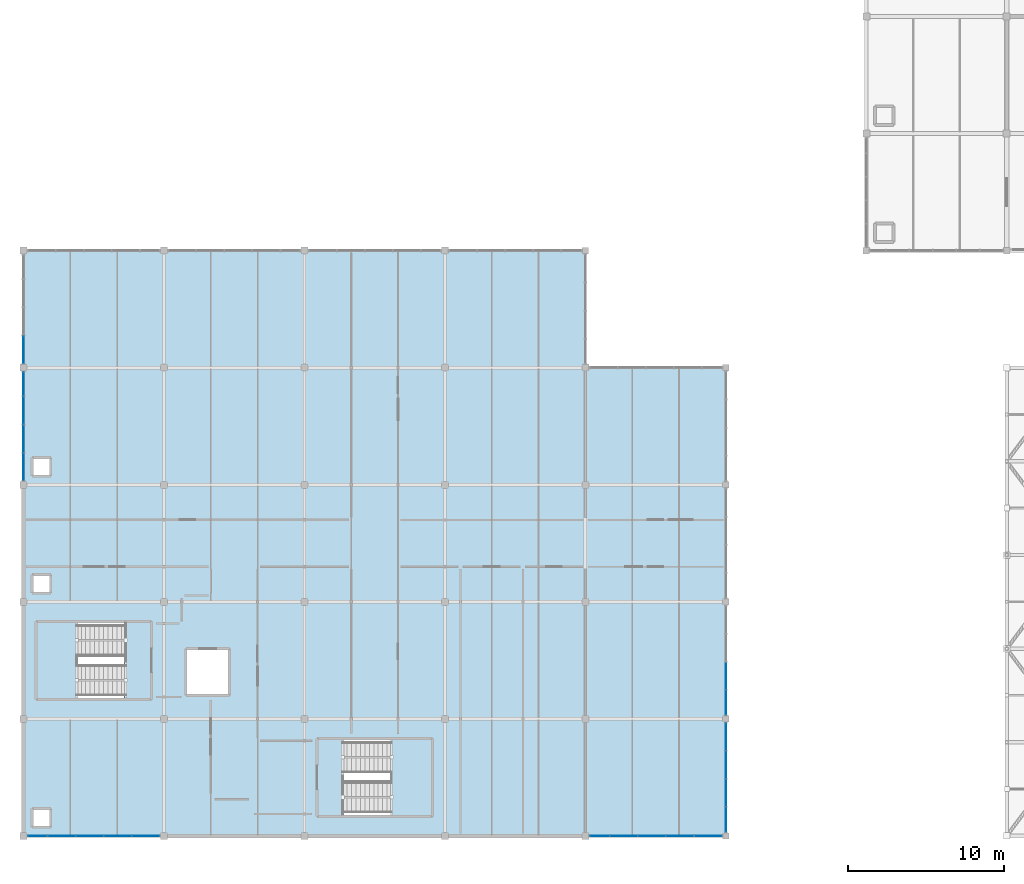
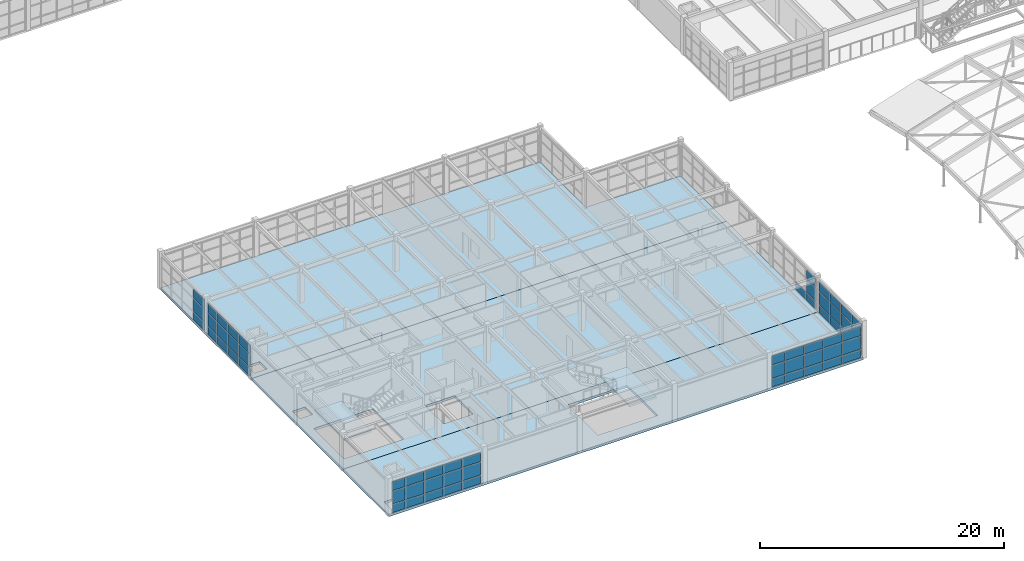
# One storey, part 50 of 81: 61 plates, 5 slabs, 8 elements without a shape of their own.
"""IFC4 building model written with IfcOpenShell, lengths in metres."""

from ifc_helpers import new_model, si_unit, direction, frame, origin, origin_2d, place, context, subcontext, project, spatial, polyline, rectangle, outline, extrude, material, layer, layer_set, type_object, element, aggregate, save


model = new_model("IFC4")

# Units and contexts
model_context = context("Model", 3, precision=1e-05, world=origin(), true_north=direction((0.0, 1.0)))
body_context = subcontext(model_context, "Body", "Model", "MODEL_VIEW")
ifc_project = project(units=[si_unit("LENGTHUNIT", "METRE"), si_unit("AREAUNIT", "SQUARE_METRE"), si_unit("VOLUMEUNIT", "CUBIC_METRE"), si_unit("PLANEANGLEUNIT", "RADIAN"), si_unit("MASSUNIT", "GRAM", prefix="KILO")], contexts=[model_context])

# Site, building, storey
site_placement = place(None, origin())
site = spatial("IfcSite", under=ifc_project, at=site_placement, CompositionType="ELEMENT")
building_placement = place(site_placement, origin())
building = spatial("IfcBuilding", under=site, at=building_placement, Name="Marnridge Secondary College", CompositionType="ELEMENT")
storey_placement = place(building_placement, frame((0.0, 0.0, 8.5)))
storey = spatial("IfcBuildingStorey", under=building, at=storey_placement, Name="L02", CompositionType="ELEMENT", Elevation=8.5)

# Curtain wall, plates
ifc_material_1 = material(Name="Bronze-anodised aluminium and solar-control glazing", Category="aluminium")
ifc_layer_1 = layer(ifc_material_1, 0.199951171875)
ifc_layer_set_1 = layer_set([ifc_layer_1], Name="CW-MOD-1800")
curtain_wall_type = type_object("IfcCurtainWallType", Name="CW-MOD-1800", PredefinedType="NOTDEFINED", material=ifc_layer_set_1)
curtain_wall_1_placement = place(storey_placement, origin())
curtain_wall_1 = element("IfcCurtainWall", 1, at=curtain_wall_1_placement, inside=storey, type_object=curtain_wall_type, Name="Unitised curtain wall CW-L02-108", PredefinedType="NOTDEFINED")
ifc_material_2 = material(Name="Acoustic laminated solar-control double glazing", Category="glass")
ifc_layer_2 = layer(ifc_material_2, 0.035888671875)
ifc_layer_set_2 = layer_set([ifc_layer_2], Name="CWP-GLZ36")
plate_type = type_object("IfcPlateType", Name="CWP-GLZ36", PredefinedType="CURTAIN_PANEL", material=ifc_layer_set_2)
plate_1_placement = place(storey_placement, frame((45.0, 10.260986328125, 0.06494140625), z_axis=(0.0, 0.0, 1.0), x_axis=(0.0, -1.0, 0.0)))
plate_1 = element("IfcPlate", 2, at=plate_1_placement, type_object=plate_type, Name="CW-L02-108 panel 3.1", PredefinedType="CURTAIN_PANEL", context=body_context, shape_type="SweptSolid", body=[
    extrude(rectangle(XDim=1.72998046875, YDim=0.035888671875, at=origin_2d()), origin(), (0.0, 0.0, 1.0), 0.802490234375),
])
plate_2_placement = place(storey_placement, frame((45.0, 8.550048828125, 0.06494140625), z_axis=(0.0, 0.0, 1.0), x_axis=(0.0, -1.0, 0.0)))
plate_2 = element("IfcPlate", 3, at=plate_2_placement, type_object=plate_type, Name="CW-L02-108 panel 4.1", PredefinedType="CURTAIN_PANEL", context=body_context, shape_type="SweptSolid", body=[
    extrude(rectangle(XDim=1.552001953125, YDim=0.035888671875, at=origin_2d()), origin(), (0.0, 0.0, 1.0), 0.802490234375),
])
plate_3_placement = place(storey_placement, frame((45.0, 8.550048828125, 0.9326171875), z_axis=(0.0, 0.0, 1.0), x_axis=(0.0, -1.0, 0.0)))
plate_3 = element("IfcPlate", 4, at=plate_3_placement, type_object=plate_type, Name="CW-L02-108 panel 4.2", PredefinedType="CURTAIN_PANEL", context=body_context, shape_type="SweptSolid", body=[
    extrude(rectangle(XDim=1.552001953125, YDim=0.035888671875, at=origin_2d()), origin(), (0.0, 0.0, 1.0), 1.284912109375),
])
plate_4_placement = place(storey_placement, frame((45.0, 8.550048828125, 2.2822265625), z_axis=(0.0, 0.0, 1.0), x_axis=(0.0, -1.0, 0.0)))
plate_4 = element("IfcPlate", 5, at=plate_4_placement, type_object=plate_type, Name="CW-L02-108 panel 4.3", PredefinedType="CURTAIN_PANEL", context=body_context, shape_type="SweptSolid", body=[
    extrude(rectangle(XDim=1.552001953125, YDim=0.035888671875, at=origin_2d()), origin(), (0.0, 0.0, 1.0), 0.882568359375),
])
aggregate(curtain_wall_1, [plate_1, plate_2, plate_3, plate_4])

curtain_wall_2_placement = place(storey_placement, origin())
curtain_wall_2 = element("IfcCurtainWall", 6, at=curtain_wall_2_placement, inside=storey, type_object=curtain_wall_type, Name="Unitised curtain wall CW-L02-109", PredefinedType="NOTDEFINED")
plate_5_placement = place(storey_placement, frame((45.0, 6.361083984375, 0.06494140625), z_axis=(0.0, 0.0, 1.0), x_axis=(0.0, -1.0, 0.0)))
plate_5 = element("IfcPlate", 7, at=plate_5_placement, type_object=plate_type, Name="CW-L02-109 panel 1.1", PredefinedType="CURTAIN_PANEL", context=body_context, shape_type="SweptSolid", body=[
    extrude(rectangle(XDim=1.72998046875, YDim=0.035888671875, at=origin_2d()), origin(), (0.0, 0.0, 1.0), 0.802490234375),
])
plate_6_placement = place(storey_placement, frame((45.0, 6.361083984375, 0.9326171875), z_axis=(0.0, 0.0, 1.0), x_axis=(0.0, -1.0, 0.0)))
plate_6 = element("IfcPlate", 8, at=plate_6_placement, type_object=plate_type, Name="CW-L02-109 panel 1.2", PredefinedType="CURTAIN_PANEL", context=body_context, shape_type="SweptSolid", body=[
    extrude(rectangle(XDim=1.72998046875, YDim=0.035888671875, at=origin_2d()), origin(), (0.0, 0.0, 1.0), 1.284912109375),
])
plate_7_placement = place(storey_placement, frame((45.0, 6.361083984375, 2.2822265625), z_axis=(0.0, 0.0, 1.0), x_axis=(0.0, -1.0, 0.0)))
plate_7 = element("IfcPlate", 9, at=plate_7_placement, type_object=plate_type, Name="CW-L02-109 panel 1.3", PredefinedType="CURTAIN_PANEL", context=body_context, shape_type="SweptSolid", body=[
    extrude(rectangle(XDim=1.72998046875, YDim=0.035888671875, at=origin_2d()), origin(), (0.0, 0.0, 1.0), 0.882568359375),
])
plate_8_placement = place(storey_placement, frame((45.0, 4.56103515625, 0.06494140625), z_axis=(0.0, 0.0, 1.0), x_axis=(0.0, -1.0, 0.0)))
plate_8 = element("IfcPlate", 10, at=plate_8_placement, type_object=plate_type, Name="CW-L02-109 panel 2.1", PredefinedType="CURTAIN_PANEL", context=body_context, shape_type="SweptSolid", body=[
    extrude(rectangle(XDim=1.72998046875, YDim=0.035888671875, at=origin_2d()), origin(), (0.0, 0.0, 1.0), 0.802490234375),
])
plate_9_placement = place(storey_placement, frame((45.0, 4.56103515625, 0.9326171875), z_axis=(0.0, 0.0, 1.0), x_axis=(0.0, -1.0, 0.0)))
plate_9 = element("IfcPlate", 11, at=plate_9_placement, type_object=plate_type, Name="CW-L02-109 panel 2.2", PredefinedType="CURTAIN_PANEL", context=body_context, shape_type="SweptSolid", body=[
    extrude(rectangle(XDim=1.72998046875, YDim=0.035888671875, at=origin_2d()), origin(), (0.0, 0.0, 1.0), 1.284912109375),
])
plate_10_placement = place(storey_placement, frame((45.0, 4.56103515625, 2.2822265625), z_axis=(0.0, 0.0, 1.0), x_axis=(0.0, -1.0, 0.0)))
plate_10 = element("IfcPlate", 12, at=plate_10_placement, type_object=plate_type, Name="CW-L02-109 panel 2.3", PredefinedType="CURTAIN_PANEL", context=body_context, shape_type="SweptSolid", body=[
    extrude(rectangle(XDim=1.72998046875, YDim=0.035888671875, at=origin_2d()), origin(), (0.0, 0.0, 1.0), 0.882568359375),
])
plate_11_placement = place(storey_placement, frame((45.0, 2.760986328125, 0.06494140625), z_axis=(0.0, 0.0, 1.0), x_axis=(0.0, -1.0, 0.0)))
plate_11 = element("IfcPlate", 13, at=plate_11_placement, type_object=plate_type, Name="CW-L02-109 panel 3.1", PredefinedType="CURTAIN_PANEL", context=body_context, shape_type="SweptSolid", body=[
    extrude(rectangle(XDim=1.72998046875, YDim=0.035888671875, at=origin_2d()), origin(), (0.0, 0.0, 1.0), 0.802490234375),
])
plate_12_placement = place(storey_placement, frame((45.0, 2.760986328125, 0.9326171875), z_axis=(0.0, 0.0, 1.0), x_axis=(0.0, -1.0, 0.0)))
plate_12 = element("IfcPlate", 14, at=plate_12_placement, type_object=plate_type, Name="CW-L02-109 panel 3.2", PredefinedType="CURTAIN_PANEL", context=body_context, shape_type="SweptSolid", body=[
    extrude(rectangle(XDim=1.72998046875, YDim=0.035888671875, at=origin_2d()), origin(), (0.0, 0.0, 1.0), 1.284912109375),
])
plate_13_placement = place(storey_placement, frame((45.0, 2.760986328125, 2.2822265625), z_axis=(0.0, 0.0, 1.0), x_axis=(0.0, -1.0, 0.0)))
plate_13 = element("IfcPlate", 15, at=plate_13_placement, type_object=plate_type, Name="CW-L02-109 panel 3.3", PredefinedType="CURTAIN_PANEL", context=body_context, shape_type="SweptSolid", body=[
    extrude(rectangle(XDim=1.72998046875, YDim=0.035888671875, at=origin_2d()), origin(), (0.0, 0.0, 1.0), 0.882568359375),
])
plate_14_placement = place(storey_placement, frame((45.0, 1.050048828125, 0.06494140625), z_axis=(0.0, 0.0, 1.0), x_axis=(0.0, -1.0, 0.0)))
plate_14 = element("IfcPlate", 16, at=plate_14_placement, type_object=plate_type, Name="CW-L02-109 panel 4.1", PredefinedType="CURTAIN_PANEL", context=body_context, shape_type="SweptSolid", body=[
    extrude(rectangle(XDim=1.552001953125, YDim=0.035888671875, at=origin_2d()), origin(), (0.0, 0.0, 1.0), 0.802490234375),
])
plate_15_placement = place(storey_placement, frame((45.0, 1.050048828125, 0.9326171875), z_axis=(0.0, 0.0, 1.0), x_axis=(0.0, -1.0, 0.0)))
plate_15 = element("IfcPlate", 17, at=plate_15_placement, type_object=plate_type, Name="CW-L02-109 panel 4.2", PredefinedType="CURTAIN_PANEL", context=body_context, shape_type="SweptSolid", body=[
    extrude(rectangle(XDim=1.552001953125, YDim=0.035888671875, at=origin_2d()), origin(), (0.0, 0.0, 1.0), 1.284912109375),
])
plate_16_placement = place(storey_placement, frame((45.0, 1.050048828125, 2.2822265625), z_axis=(0.0, 0.0, 1.0), x_axis=(0.0, -1.0, 0.0)))
plate_16 = element("IfcPlate", 18, at=plate_16_placement, type_object=plate_type, Name="CW-L02-109 panel 4.3", PredefinedType="CURTAIN_PANEL", context=body_context, shape_type="SweptSolid", body=[
    extrude(rectangle(XDim=1.552001953125, YDim=0.035888671875, at=origin_2d()), origin(), (0.0, 0.0, 1.0), 0.882568359375),
])
aggregate(curtain_wall_2, [plate_5, plate_6, plate_7, plate_8, plate_9, plate_10, plate_11, plate_12, plate_13, plate_14, plate_15, plate_16])

curtain_wall_3_placement = place(storey_placement, origin())
curtain_wall_3 = element("IfcCurtainWall", 19, at=curtain_wall_3_placement, inside=storey, type_object=curtain_wall_type, Name="Unitised curtain wall CW-L02-110", PredefinedType="NOTDEFINED")
plate_17_placement = place(storey_placement, frame((43.861083984375, 0.0, 0.06494140625), z_axis=(0.0, 0.0, 1.0), x_axis=(-1.0, 0.0, 0.0)))
plate_17 = element("IfcPlate", 20, at=plate_17_placement, type_object=plate_type, Name="CW-L02-110 panel 1.1", PredefinedType="CURTAIN_PANEL", context=body_context, shape_type="SweptSolid", body=[
    extrude(rectangle(XDim=1.72998046875, YDim=0.035888671875, at=origin_2d()), origin(), (0.0, 0.0, 1.0), 0.802490234375),
])
plate_18_placement = place(storey_placement, frame((43.861083984375, 0.0, 0.9326171875), z_axis=(0.0, 0.0, 1.0), x_axis=(-1.0, 0.0, 0.0)))
plate_18 = element("IfcPlate", 21, at=plate_18_placement, type_object=plate_type, Name="CW-L02-110 panel 1.2", PredefinedType="CURTAIN_PANEL", context=body_context, shape_type="SweptSolid", body=[
    extrude(rectangle(XDim=1.72998046875, YDim=0.035888671875, at=origin_2d()), origin(), (0.0, 0.0, 1.0), 1.284912109375),
])
plate_19_placement = place(storey_placement, frame((43.861083984375, 0.0, 2.2822265625), z_axis=(0.0, 0.0, 1.0), x_axis=(-1.0, 0.0, 0.0)))
plate_19 = element("IfcPlate", 22, at=plate_19_placement, type_object=plate_type, Name="CW-L02-110 panel 1.3", PredefinedType="CURTAIN_PANEL", context=body_context, shape_type="SweptSolid", body=[
    extrude(rectangle(XDim=1.72998046875, YDim=0.035888671875, at=origin_2d()), origin(), (0.0, 0.0, 1.0), 0.882568359375),
])
plate_20_placement = place(storey_placement, frame((42.06103515625, 0.0, 0.06494140625), z_axis=(0.0, 0.0, 1.0), x_axis=(-1.0, 0.0, 0.0)))
plate_20 = element("IfcPlate", 23, at=plate_20_placement, type_object=plate_type, Name="CW-L02-110 panel 2.1", PredefinedType="CURTAIN_PANEL", context=body_context, shape_type="SweptSolid", body=[
    extrude(rectangle(XDim=1.72998046875, YDim=0.035888671875, at=origin_2d()), origin(), (0.0, 0.0, 1.0), 0.802490234375),
])
plate_21_placement = place(storey_placement, frame((42.06103515625, 0.0, 0.9326171875), z_axis=(0.0, 0.0, 1.0), x_axis=(-1.0, 0.0, 0.0)))
plate_21 = element("IfcPlate", 24, at=plate_21_placement, type_object=plate_type, Name="CW-L02-110 panel 2.2", PredefinedType="CURTAIN_PANEL", context=body_context, shape_type="SweptSolid", body=[
    extrude(rectangle(XDim=1.72998046875, YDim=0.035888671875, at=origin_2d()), origin(), (0.0, 0.0, 1.0), 1.284912109375),
])
plate_22_placement = place(storey_placement, frame((42.06103515625, 0.0, 2.2822265625), z_axis=(0.0, 0.0, 1.0), x_axis=(-1.0, 0.0, 0.0)))
plate_22 = element("IfcPlate", 25, at=plate_22_placement, type_object=plate_type, Name="CW-L02-110 panel 2.3", PredefinedType="CURTAIN_PANEL", context=body_context, shape_type="SweptSolid", body=[
    extrude(rectangle(XDim=1.72998046875, YDim=0.035888671875, at=origin_2d()), origin(), (0.0, 0.0, 1.0), 0.882568359375),
])
plate_23_placement = place(storey_placement, frame((40.260986328125, 0.0, 0.06494140625), z_axis=(0.0, 0.0, 1.0), x_axis=(-1.0, 0.0, 0.0)))
plate_23 = element("IfcPlate", 26, at=plate_23_placement, type_object=plate_type, Name="CW-L02-110 panel 3.1", PredefinedType="CURTAIN_PANEL", context=body_context, shape_type="SweptSolid", body=[
    extrude(rectangle(XDim=1.72998046875, YDim=0.035888671875, at=origin_2d()), origin(), (0.0, 0.0, 1.0), 0.802490234375),
])
plate_24_placement = place(storey_placement, frame((40.260986328125, 0.0, 0.9326171875), z_axis=(0.0, 0.0, 1.0), x_axis=(-1.0, 0.0, 0.0)))
plate_24 = element("IfcPlate", 27, at=plate_24_placement, type_object=plate_type, Name="CW-L02-110 panel 3.2", PredefinedType="CURTAIN_PANEL", context=body_context, shape_type="SweptSolid", body=[
    extrude(rectangle(XDim=1.72998046875, YDim=0.035888671875, at=origin_2d()), origin(), (0.0, 0.0, 1.0), 1.284912109375),
])
plate_25_placement = place(storey_placement, frame((40.260986328125, 0.0, 2.2822265625), z_axis=(0.0, 0.0, 1.0), x_axis=(-1.0, 0.0, 0.0)))
plate_25 = element("IfcPlate", 28, at=plate_25_placement, type_object=plate_type, Name="CW-L02-110 panel 3.3", PredefinedType="CURTAIN_PANEL", context=body_context, shape_type="SweptSolid", body=[
    extrude(rectangle(XDim=1.72998046875, YDim=0.035888671875, at=origin_2d()), origin(), (0.0, 0.0, 1.0), 0.882568359375),
])
plate_26_placement = place(storey_placement, frame((38.4609375, 0.0, 0.06494140625), z_axis=(0.0, 0.0, 1.0), x_axis=(-1.0, 0.0, 0.0)))
plate_26 = element("IfcPlate", 29, at=plate_26_placement, type_object=plate_type, Name="CW-L02-110 panel 4.1", PredefinedType="CURTAIN_PANEL", context=body_context, shape_type="SweptSolid", body=[
    extrude(rectangle(XDim=1.72998046875, YDim=0.035888671875, at=origin_2d()), origin(), (0.0, 0.0, 1.0), 0.802490234375),
])
plate_27_placement = place(storey_placement, frame((38.4609375, 0.0, 0.9326171875), z_axis=(0.0, 0.0, 1.0), x_axis=(-1.0, 0.0, 0.0)))
plate_27 = element("IfcPlate", 30, at=plate_27_placement, type_object=plate_type, Name="CW-L02-110 panel 4.2", PredefinedType="CURTAIN_PANEL", context=body_context, shape_type="SweptSolid", body=[
    extrude(rectangle(XDim=1.72998046875, YDim=0.035888671875, at=origin_2d()), origin(), (0.0, 0.0, 1.0), 1.284912109375),
])
plate_28_placement = place(storey_placement, frame((38.4609375, 0.0, 2.2822265625), z_axis=(0.0, 0.0, 1.0), x_axis=(-1.0, 0.0, 0.0)))
plate_28 = element("IfcPlate", 31, at=plate_28_placement, type_object=plate_type, Name="CW-L02-110 panel 4.3", PredefinedType="CURTAIN_PANEL", context=body_context, shape_type="SweptSolid", body=[
    extrude(rectangle(XDim=1.72998046875, YDim=0.035888671875, at=origin_2d()), origin(), (0.0, 0.0, 1.0), 0.882568359375),
])
plate_29_placement = place(storey_placement, frame((36.91259765625, 0.0, 0.06494140625), z_axis=(0.0, 0.0, 1.0), x_axis=(-1.0, 0.0, 0.0)))
plate_29 = element("IfcPlate", 32, at=plate_29_placement, type_object=plate_type, Name="CW-L02-110 panel 5.1", PredefinedType="CURTAIN_PANEL", context=body_context, shape_type="SweptSolid", body=[
    extrude(rectangle(XDim=1.22705078125, YDim=0.035888671875, at=origin_2d()), origin(), (0.0, 0.0, 1.0), 0.802490234375),
])
plate_30_placement = place(storey_placement, frame((36.91259765625, 0.0, 0.9326171875), z_axis=(0.0, 0.0, 1.0), x_axis=(-1.0, 0.0, 0.0)))
plate_30 = element("IfcPlate", 33, at=plate_30_placement, type_object=plate_type, Name="CW-L02-110 panel 5.2", PredefinedType="CURTAIN_PANEL", context=body_context, shape_type="SweptSolid", body=[
    extrude(rectangle(XDim=1.22705078125, YDim=0.035888671875, at=origin_2d()), origin(), (0.0, 0.0, 1.0), 1.284912109375),
])
plate_31_placement = place(storey_placement, frame((36.91259765625, 0.0, 2.2822265625), z_axis=(0.0, 0.0, 1.0), x_axis=(-1.0, 0.0, 0.0)))
plate_31 = element("IfcPlate", 34, at=plate_31_placement, type_object=plate_type, Name="CW-L02-110 panel 5.3", PredefinedType="CURTAIN_PANEL", context=body_context, shape_type="SweptSolid", body=[
    extrude(rectangle(XDim=1.22705078125, YDim=0.035888671875, at=origin_2d()), origin(), (0.0, 0.0, 1.0), 0.882568359375),
])
aggregate(curtain_wall_3, [plate_17, plate_18, plate_19, plate_20, plate_21, plate_22, plate_23, plate_24, plate_25, plate_26, plate_27, plate_28, plate_29, plate_30, plate_31])

curtain_wall_4_placement = place(storey_placement, origin())
curtain_wall_4 = element("IfcCurtainWall", 35, at=curtain_wall_4_placement, inside=storey, type_object=curtain_wall_type, Name="Unitised curtain wall CW-L02-111", PredefinedType="NOTDEFINED")
plate_32_placement = place(storey_placement, frame((7.8359375, 0.0, 0.06494140625), z_axis=(0.0, 0.0, 1.0), x_axis=(-1.0, 0.0, 0.0)))
plate_32 = element("IfcPlate", 36, at=plate_32_placement, type_object=plate_type, Name="CW-L02-111 panel 1.1", PredefinedType="CURTAIN_PANEL", context=body_context, shape_type="SweptSolid", body=[
    extrude(rectangle(XDim=1.72998046875, YDim=0.035888671875, at=origin_2d()), origin(), (0.0, 0.0, 1.0), 0.802490234375),
])
plate_33_placement = place(storey_placement, frame((7.8359375, 0.0, 0.9326171875), z_axis=(0.0, 0.0, 1.0), x_axis=(-1.0, 0.0, 0.0)))
plate_33 = element("IfcPlate", 37, at=plate_33_placement, type_object=plate_type, Name="CW-L02-111 panel 1.2", PredefinedType="CURTAIN_PANEL", context=body_context, shape_type="SweptSolid", body=[
    extrude(rectangle(XDim=1.72998046875, YDim=0.035888671875, at=origin_2d()), origin(), (0.0, 0.0, 1.0), 1.284912109375),
])
plate_34_placement = place(storey_placement, frame((7.8359375, 0.0, 2.2822265625), z_axis=(0.0, 0.0, 1.0), x_axis=(-1.0, 0.0, 0.0)))
plate_34 = element("IfcPlate", 38, at=plate_34_placement, type_object=plate_type, Name="CW-L02-111 panel 1.3", PredefinedType="CURTAIN_PANEL", context=body_context, shape_type="SweptSolid", body=[
    extrude(rectangle(XDim=1.72998046875, YDim=0.035888671875, at=origin_2d()), origin(), (0.0, 0.0, 1.0), 0.882568359375),
])
plate_35_placement = place(storey_placement, frame((6.035888671875, 0.0, 0.06494140625), z_axis=(0.0, 0.0, 1.0), x_axis=(-1.0, 0.0, 0.0)))
plate_35 = element("IfcPlate", 39, at=plate_35_placement, type_object=plate_type, Name="CW-L02-111 panel 2.1", PredefinedType="CURTAIN_PANEL", context=body_context, shape_type="SweptSolid", body=[
    extrude(rectangle(XDim=1.72998046875, YDim=0.035888671875, at=origin_2d()), origin(), (0.0, 0.0, 1.0), 0.802490234375),
])
plate_36_placement = place(storey_placement, frame((6.035888671875, 0.0, 0.9326171875), z_axis=(0.0, 0.0, 1.0), x_axis=(-1.0, 0.0, 0.0)))
plate_36 = element("IfcPlate", 40, at=plate_36_placement, type_object=plate_type, Name="CW-L02-111 panel 2.2", PredefinedType="CURTAIN_PANEL", context=body_context, shape_type="SweptSolid", body=[
    extrude(rectangle(XDim=1.72998046875, YDim=0.035888671875, at=origin_2d()), origin(), (0.0, 0.0, 1.0), 1.284912109375),
])
plate_37_placement = place(storey_placement, frame((6.035888671875, 0.0, 2.2822265625), z_axis=(0.0, 0.0, 1.0), x_axis=(-1.0, 0.0, 0.0)))
plate_37 = element("IfcPlate", 41, at=plate_37_placement, type_object=plate_type, Name="CW-L02-111 panel 2.3", PredefinedType="CURTAIN_PANEL", context=body_context, shape_type="SweptSolid", body=[
    extrude(rectangle(XDim=1.72998046875, YDim=0.035888671875, at=origin_2d()), origin(), (0.0, 0.0, 1.0), 0.882568359375),
])
plate_38_placement = place(storey_placement, frame((4.236083984375, 0.0, 0.06494140625), z_axis=(0.0, 0.0, 1.0), x_axis=(-1.0, 0.0, 0.0)))
plate_38 = element("IfcPlate", 42, at=plate_38_placement, type_object=plate_type, Name="CW-L02-111 panel 3.1", PredefinedType="CURTAIN_PANEL", context=body_context, shape_type="SweptSolid", body=[
    extrude(rectangle(XDim=1.72998046875, YDim=0.035888671875, at=origin_2d()), origin(), (0.0, 0.0, 1.0), 0.802490234375),
])
plate_39_placement = place(storey_placement, frame((4.236083984375, 0.0, 0.9326171875), z_axis=(0.0, 0.0, 1.0), x_axis=(-1.0, 0.0, 0.0)))
plate_39 = element("IfcPlate", 43, at=plate_39_placement, type_object=plate_type, Name="CW-L02-111 panel 3.2", PredefinedType="CURTAIN_PANEL", context=body_context, shape_type="SweptSolid", body=[
    extrude(rectangle(XDim=1.72998046875, YDim=0.035888671875, at=origin_2d()), origin(), (0.0, 0.0, 1.0), 1.284912109375),
])
plate_40_placement = place(storey_placement, frame((4.236083984375, 0.0, 2.2822265625), z_axis=(0.0, 0.0, 1.0), x_axis=(-1.0, 0.0, 0.0)))
plate_40 = element("IfcPlate", 44, at=plate_40_placement, type_object=plate_type, Name="CW-L02-111 panel 3.3", PredefinedType="CURTAIN_PANEL", context=body_context, shape_type="SweptSolid", body=[
    extrude(rectangle(XDim=1.72998046875, YDim=0.035888671875, at=origin_2d()), origin(), (0.0, 0.0, 1.0), 0.882568359375),
])
plate_41_placement = place(storey_placement, frame((2.43603515625, 0.0, 0.06494140625), z_axis=(0.0, 0.0, 1.0), x_axis=(-1.0, 0.0, 0.0)))
plate_41 = element("IfcPlate", 45, at=plate_41_placement, type_object=plate_type, Name="CW-L02-111 panel 4.1", PredefinedType="CURTAIN_PANEL", context=body_context, shape_type="SweptSolid", body=[
    extrude(rectangle(XDim=1.72998046875, YDim=0.035888671875, at=origin_2d()), origin(), (0.0, 0.0, 1.0), 0.802490234375),
])
plate_42_placement = place(storey_placement, frame((2.43603515625, 0.0, 0.9326171875), z_axis=(0.0, 0.0, 1.0), x_axis=(-1.0, 0.0, 0.0)))
plate_42 = element("IfcPlate", 46, at=plate_42_placement, type_object=plate_type, Name="CW-L02-111 panel 4.2", PredefinedType="CURTAIN_PANEL", context=body_context, shape_type="SweptSolid", body=[
    extrude(rectangle(XDim=1.72998046875, YDim=0.035888671875, at=origin_2d()), origin(), (0.0, 0.0, 1.0), 1.284912109375),
])
plate_43_placement = place(storey_placement, frame((2.43603515625, 0.0, 2.2822265625), z_axis=(0.0, 0.0, 1.0), x_axis=(-1.0, 0.0, 0.0)))
plate_43 = element("IfcPlate", 47, at=plate_43_placement, type_object=plate_type, Name="CW-L02-111 panel 4.3", PredefinedType="CURTAIN_PANEL", context=body_context, shape_type="SweptSolid", body=[
    extrude(rectangle(XDim=1.72998046875, YDim=0.035888671875, at=origin_2d()), origin(), (0.0, 0.0, 1.0), 0.882568359375),
])
plate_44_placement = place(storey_placement, frame((0.89990234375, 0.0, 0.06494140625), z_axis=(0.0, 0.0, 1.0), x_axis=(-1.0, 0.0, 0.0)))
plate_44 = element("IfcPlate", 48, at=plate_44_placement, type_object=plate_type, Name="CW-L02-111 panel 5.1", PredefinedType="CURTAIN_PANEL", context=body_context, shape_type="SweptSolid", body=[
    extrude(rectangle(XDim=1.201904296875, YDim=0.035888671875, at=origin_2d()), origin(), (0.0, 0.0, 1.0), 0.802490234375),
])
plate_45_placement = place(storey_placement, frame((0.89990234375, 0.0, 0.9326171875), z_axis=(0.0, 0.0, 1.0), x_axis=(-1.0, 0.0, 0.0)))
plate_45 = element("IfcPlate", 49, at=plate_45_placement, type_object=plate_type, Name="CW-L02-111 panel 5.2", PredefinedType="CURTAIN_PANEL", context=body_context, shape_type="SweptSolid", body=[
    extrude(rectangle(XDim=1.201904296875, YDim=0.035888671875, at=origin_2d()), origin(), (0.0, 0.0, 1.0), 1.284912109375),
])
plate_46_placement = place(storey_placement, frame((0.89990234375, 0.0, 2.2822265625), z_axis=(0.0, 0.0, 1.0), x_axis=(-1.0, 0.0, 0.0)))
plate_46 = element("IfcPlate", 50, at=plate_46_placement, type_object=plate_type, Name="CW-L02-111 panel 5.3", PredefinedType="CURTAIN_PANEL", context=body_context, shape_type="SweptSolid", body=[
    extrude(rectangle(XDim=1.201904296875, YDim=0.035888671875, at=origin_2d()), origin(), (0.0, 0.0, 1.0), 0.882568359375),
])
aggregate(curtain_wall_4, [plate_32, plate_33, plate_34, plate_35, plate_36, plate_37, plate_38, plate_39, plate_40, plate_41, plate_42, plate_43, plate_44, plate_45, plate_46])

curtain_wall_5_placement = place(storey_placement, origin())
curtain_wall_5 = element("IfcCurtainWall", 51, at=curtain_wall_5_placement, inside=storey, type_object=curtain_wall_type, Name="Unitised curtain wall CW-L02-112", PredefinedType="NOTDEFINED")
plate_47_placement = place(storey_placement, frame((0.0, 23.6640625, 0.06494140625), z_axis=(0.0, 0.0, 1.0), x_axis=(0.0, 1.0, 0.0)))
plate_47 = element("IfcPlate", 52, at=plate_47_placement, type_object=plate_type, Name="CW-L02-112 panel 1.1", PredefinedType="CURTAIN_PANEL", context=body_context, shape_type="SweptSolid", body=[
    extrude(rectangle(XDim=1.72998046875, YDim=0.035888671875, at=origin_2d()), origin(), (0.0, 0.0, 1.0), 0.802490234375),
])
plate_48_placement = place(storey_placement, frame((0.0, 23.6640625, 0.9326171875), z_axis=(0.0, 0.0, 1.0), x_axis=(0.0, 1.0, 0.0)))
plate_48 = element("IfcPlate", 53, at=plate_48_placement, type_object=plate_type, Name="CW-L02-112 panel 1.2", PredefinedType="CURTAIN_PANEL", context=body_context, shape_type="SweptSolid", body=[
    extrude(rectangle(XDim=1.72998046875, YDim=0.035888671875, at=origin_2d()), origin(), (0.0, 0.0, 1.0), 1.284912109375),
])
plate_49_placement = place(storey_placement, frame((0.0, 23.6640625, 2.2822265625), z_axis=(0.0, 0.0, 1.0), x_axis=(0.0, 1.0, 0.0)))
plate_49 = element("IfcPlate", 54, at=plate_49_placement, type_object=plate_type, Name="CW-L02-112 panel 1.3", PredefinedType="CURTAIN_PANEL", context=body_context, shape_type="SweptSolid", body=[
    extrude(rectangle(XDim=1.72998046875, YDim=0.035888671875, at=origin_2d()), origin(), (0.0, 0.0, 1.0), 0.882568359375),
])
plate_50_placement = place(storey_placement, frame((0.0, 25.464111328125, 0.06494140625), z_axis=(0.0, 0.0, 1.0), x_axis=(0.0, 1.0, 0.0)))
plate_50 = element("IfcPlate", 55, at=plate_50_placement, type_object=plate_type, Name="CW-L02-112 panel 2.1", PredefinedType="CURTAIN_PANEL", context=body_context, shape_type="SweptSolid", body=[
    extrude(rectangle(XDim=1.72998046875, YDim=0.035888671875, at=origin_2d()), origin(), (0.0, 0.0, 1.0), 0.802490234375),
])
plate_51_placement = place(storey_placement, frame((0.0, 25.464111328125, 0.9326171875), z_axis=(0.0, 0.0, 1.0), x_axis=(0.0, 1.0, 0.0)))
plate_51 = element("IfcPlate", 56, at=plate_51_placement, type_object=plate_type, Name="CW-L02-112 panel 2.2", PredefinedType="CURTAIN_PANEL", context=body_context, shape_type="SweptSolid", body=[
    extrude(rectangle(XDim=1.72998046875, YDim=0.035888671875, at=origin_2d()), origin(), (0.0, 0.0, 1.0), 1.284912109375),
])
plate_52_placement = place(storey_placement, frame((0.0, 25.464111328125, 2.2822265625), z_axis=(0.0, 0.0, 1.0), x_axis=(0.0, 1.0, 0.0)))
plate_52 = element("IfcPlate", 57, at=plate_52_placement, type_object=plate_type, Name="CW-L02-112 panel 2.3", PredefinedType="CURTAIN_PANEL", context=body_context, shape_type="SweptSolid", body=[
    extrude(rectangle(XDim=1.72998046875, YDim=0.035888671875, at=origin_2d()), origin(), (0.0, 0.0, 1.0), 0.882568359375),
])
plate_53_placement = place(storey_placement, frame((0.0, 27.263916015625, 0.06494140625), z_axis=(0.0, 0.0, 1.0), x_axis=(0.0, 1.0, 0.0)))
plate_53 = element("IfcPlate", 58, at=plate_53_placement, type_object=plate_type, Name="CW-L02-112 panel 3.1", PredefinedType="CURTAIN_PANEL", context=body_context, shape_type="SweptSolid", body=[
    extrude(rectangle(XDim=1.72998046875, YDim=0.035888671875, at=origin_2d()), origin(), (0.0, 0.0, 1.0), 0.802490234375),
])
plate_54_placement = place(storey_placement, frame((0.0, 27.263916015625, 0.9326171875), z_axis=(0.0, 0.0, 1.0), x_axis=(0.0, 1.0, 0.0)))
plate_54 = element("IfcPlate", 59, at=plate_54_placement, type_object=plate_type, Name="CW-L02-112 panel 3.2", PredefinedType="CURTAIN_PANEL", context=body_context, shape_type="SweptSolid", body=[
    extrude(rectangle(XDim=1.72998046875, YDim=0.035888671875, at=origin_2d()), origin(), (0.0, 0.0, 1.0), 1.284912109375),
])
plate_55_placement = place(storey_placement, frame((0.0, 27.263916015625, 2.2822265625), z_axis=(0.0, 0.0, 1.0), x_axis=(0.0, 1.0, 0.0)))
plate_55 = element("IfcPlate", 60, at=plate_55_placement, type_object=plate_type, Name="CW-L02-112 panel 3.3", PredefinedType="CURTAIN_PANEL", context=body_context, shape_type="SweptSolid", body=[
    extrude(rectangle(XDim=1.72998046875, YDim=0.035888671875, at=origin_2d()), origin(), (0.0, 0.0, 1.0), 0.882568359375),
])
plate_56_placement = place(storey_placement, frame((0.0, 28.949951171875, 0.06494140625), z_axis=(0.0, 0.0, 1.0), x_axis=(0.0, 1.0, 0.0)))
plate_56 = element("IfcPlate", 61, at=plate_56_placement, type_object=plate_type, Name="CW-L02-112 panel 4.1", PredefinedType="CURTAIN_PANEL", context=body_context, shape_type="SweptSolid", body=[
    extrude(rectangle(XDim=1.501953125, YDim=0.035888671875, at=origin_2d()), origin(), (0.0, 0.0, 1.0), 0.802490234375),
])
plate_57_placement = place(storey_placement, frame((0.0, 28.949951171875, 0.9326171875), z_axis=(0.0, 0.0, 1.0), x_axis=(0.0, 1.0, 0.0)))
plate_57 = element("IfcPlate", 62, at=plate_57_placement, type_object=plate_type, Name="CW-L02-112 panel 4.2", PredefinedType="CURTAIN_PANEL", context=body_context, shape_type="SweptSolid", body=[
    extrude(rectangle(XDim=1.501953125, YDim=0.035888671875, at=origin_2d()), origin(), (0.0, 0.0, 1.0), 1.284912109375),
])
plate_58_placement = place(storey_placement, frame((0.0, 28.949951171875, 2.2822265625), z_axis=(0.0, 0.0, 1.0), x_axis=(0.0, 1.0, 0.0)))
plate_58 = element("IfcPlate", 63, at=plate_58_placement, type_object=plate_type, Name="CW-L02-112 panel 4.3", PredefinedType="CURTAIN_PANEL", context=body_context, shape_type="SweptSolid", body=[
    extrude(rectangle(XDim=1.501953125, YDim=0.035888671875, at=origin_2d()), origin(), (0.0, 0.0, 1.0), 0.882568359375),
])
aggregate(curtain_wall_5, [plate_47, plate_48, plate_49, plate_50, plate_51, plate_52, plate_53, plate_54, plate_55, plate_56, plate_57, plate_58])

curtain_wall_6_placement = place(storey_placement, origin())
curtain_wall_6 = element("IfcCurtainWall", 64, at=curtain_wall_6_placement, inside=storey, type_object=curtain_wall_type, Name="Unitised curtain wall CW-L02-113", PredefinedType="NOTDEFINED")
plate_59_placement = place(storey_placement, frame((0.0, 31.1640625, 0.06494140625), z_axis=(0.0, 0.0, 1.0), x_axis=(0.0, 1.0, 0.0)))
plate_59 = element("IfcPlate", 65, at=plate_59_placement, type_object=plate_type, Name="CW-L02-113 panel 1.1", PredefinedType="CURTAIN_PANEL", context=body_context, shape_type="SweptSolid", body=[
    extrude(rectangle(XDim=1.72998046875, YDim=0.035888671875, at=origin_2d()), origin(), (0.0, 0.0, 1.0), 0.802490234375),
])
plate_60_placement = place(storey_placement, frame((0.0, 31.1640625, 0.9326171875), z_axis=(0.0, 0.0, 1.0), x_axis=(0.0, 1.0, 0.0)))
plate_60 = element("IfcPlate", 66, at=plate_60_placement, type_object=plate_type, Name="CW-L02-113 panel 1.2", PredefinedType="CURTAIN_PANEL", context=body_context, shape_type="SweptSolid", body=[
    extrude(rectangle(XDim=1.72998046875, YDim=0.035888671875, at=origin_2d()), origin(), (0.0, 0.0, 1.0), 1.284912109375),
])
plate_61_placement = place(storey_placement, frame((0.0, 31.1640625, 2.2822265625), z_axis=(0.0, 0.0, 1.0), x_axis=(0.0, 1.0, 0.0)))
plate_61 = element("IfcPlate", 67, at=plate_61_placement, type_object=plate_type, Name="CW-L02-113 panel 1.3", PredefinedType="CURTAIN_PANEL", context=body_context, shape_type="SweptSolid", body=[
    extrude(rectangle(XDim=1.72998046875, YDim=0.035888671875, at=origin_2d()), origin(), (0.0, 0.0, 1.0), 0.882568359375),
])
aggregate(curtain_wall_6, [plate_59, plate_60, plate_61])

# Slabs
ifc_material_3 = material(Name="Cross-laminated timber CL7", Category="wood")
ifc_layer_3 = layer(ifc_material_3, 0.22998046875)
ifc_layer_set_3 = layer_set([ifc_layer_3], Name="SL-CLT-230")
slab_type_1 = type_object("IfcSlabType", Name="SL-CLT-230", PredefinedType="FLOOR", material=ifc_layer_set_3)
slab_1_placement = place(storey_placement, frame((0.0, 0.0, -0.22998046875)))
element("IfcSlab", 68, at=slab_1_placement, inside=storey, type_object=slab_type_1, Name="Floor slab SL-L02-035", PredefinedType="FLOOR", context=body_context, shape_type="SweptSolid", body=[
    extrude(outline(polyline([(0.0, 7.5), (45.0, 7.5), (45.0, 0.0), (0.0, 0.0), (0.0, 7.5)]), holes=[polyline([(20.550048828125, 1.25), (26.199951171875, 1.25), (26.199951171875, 6.25), (20.550048828125, 6.25), (20.550048828125, 1.25)]), polyline([(0.550048828125, 0.550048828125), (1.75, 0.550048828125), (1.75, 1.75), (0.550048828125, 1.75), (0.550048828125, 0.550048828125)])]), origin(), (0.0, 0.0, 1.0), 0.22998046875),
])
slab_2_placement = place(storey_placement, frame((0.0, 0.0, -0.22998046875)))
element("IfcSlab", 69, at=slab_2_placement, inside=storey, type_object=slab_type_1, Name="Floor slab SL-L02-036", PredefinedType="FLOOR", context=body_context, shape_type="SweptSolid", body=[
    extrude(outline(polyline([(45.0, 7.5), (0.0, 7.5), (0.0, 22.5), (45.0, 22.5), (45.0, 7.5)]), holes=[polyline([(0.800048828125, 8.75), (6.449951171875, 8.75), (6.449951171875, 13.75), (0.800048828125, 13.75), (0.800048828125, 8.75)]), polyline([(10.39990234375, 9.0), (13.199951171875, 9.0), (13.199951171875, 12.0), (10.39990234375, 12.0), (10.39990234375, 9.0)]), polyline([(0.550048828125, 15.550048828125), (1.75, 15.550048828125), (1.75, 16.75), (0.550048828125, 16.75), (0.550048828125, 15.550048828125)])]), origin(), (0.0, 0.0, 1.0), 0.22998046875),
])
slab_3_placement = place(storey_placement, frame((0.0, 0.0, -0.22998046875)))
element("IfcSlab", 70, at=slab_3_placement, inside=storey, type_object=slab_type_1, Name="Floor slab SL-L02-037", PredefinedType="FLOOR", context=body_context, shape_type="SweptSolid", body=[
    extrude(outline(polyline([(0.0, 22.5), (0.0, 37.5), (36.0, 37.5), (36.0, 30.0), (45.0, 30.0), (45.0, 22.5), (0.0, 22.5)]), holes=[polyline([(0.550048828125, 23.050048828125), (1.75, 23.050048828125), (1.75, 24.25), (0.550048828125, 24.25), (0.550048828125, 23.050048828125)])]), origin(), (0.0, 0.0, 1.0), 0.22998046875),
])

# Stair, slab
ifc_material_4 = material(Name="Concrete C40/50 (AS 3600 N40, 40 MPa)", Category="concrete")
stair_type = type_object("IfcStairType", Name="STC1", PredefinedType="HALF_TURN_STAIR", material=ifc_material_4)
stair_1_placement = place(storey_placement, origin())
stair_1 = element("IfcStair", 71, at=stair_1_placement, inside=storey, type_object=stair_type, Name="Fire-isolated stair ST-03-L02", PredefinedType="HALF_TURN_STAIR")
ifc_material_5 = material(Name="Concrete C40/50 (AS 3600 N40, 40 MPa)", Category="concrete")
ifc_layer_4 = layer(ifc_material_5, 0.199951171875)
ifc_layer_set_4 = layer_set([ifc_layer_4], Name="SL-LAND-200")
slab_type_2 = type_object("IfcSlabType", Name="SL-LAND-200", PredefinedType="LANDING", material=ifc_layer_set_4)
slab_4_placement = place(storey_placement, frame((0.0, 0.0, 1.699951171875)))
slab_4 = element("IfcSlab", 72, at=slab_4_placement, type_object=slab_type_2, Name="ST-03-L02 landing 1", PredefinedType="LANDING", context=body_context, shape_type="SweptSolid", body=[
    extrude(outline(polyline([(0.860107421875, 8.81005859375), (3.4150390625, 8.81005859375), (3.4150390625, 13.68994140625), (0.860107421875, 13.68994140625), (0.860107421875, 8.81005859375)])), origin(), (0.0, 0.0, 1.0), 0.199951171875),
])
aggregate(stair_1, [slab_4])

stair_2_placement = place(storey_placement, origin())
stair_2 = element("IfcStair", 73, at=stair_2_placement, inside=storey, type_object=stair_type, Name="Fire-isolated stair ST-04-L02", PredefinedType="HALF_TURN_STAIR")
slab_5_placement = place(storey_placement, frame((0.0, 0.0, 1.699951171875)))
slab_5 = element("IfcSlab", 74, at=slab_5_placement, type_object=slab_type_2, Name="ST-04-L02 landing 1", PredefinedType="LANDING", context=body_context, shape_type="SweptSolid", body=[
    extrude(outline(polyline([(23.5849609375, 1.31005859375), (26.139892578125, 1.31005859375), (26.139892578125, 6.18994140625), (23.5849609375, 6.18994140625), (23.5849609375, 1.31005859375)])), origin(), (0.0, 0.0, 1.0), 0.199951171875),
])
aggregate(stair_2, [slab_5])

save(model, "model.ifc")
